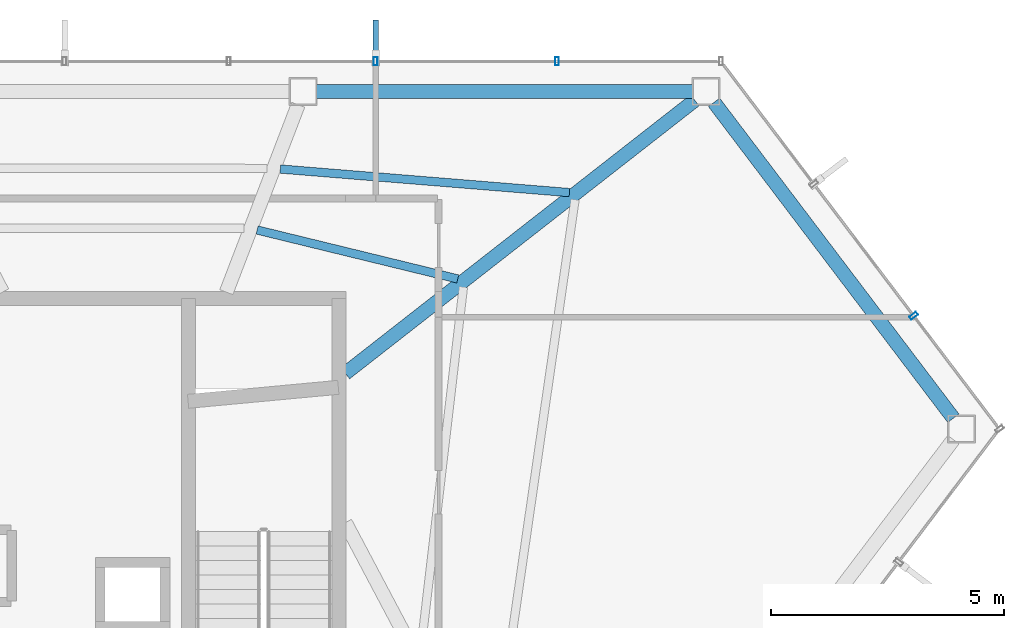
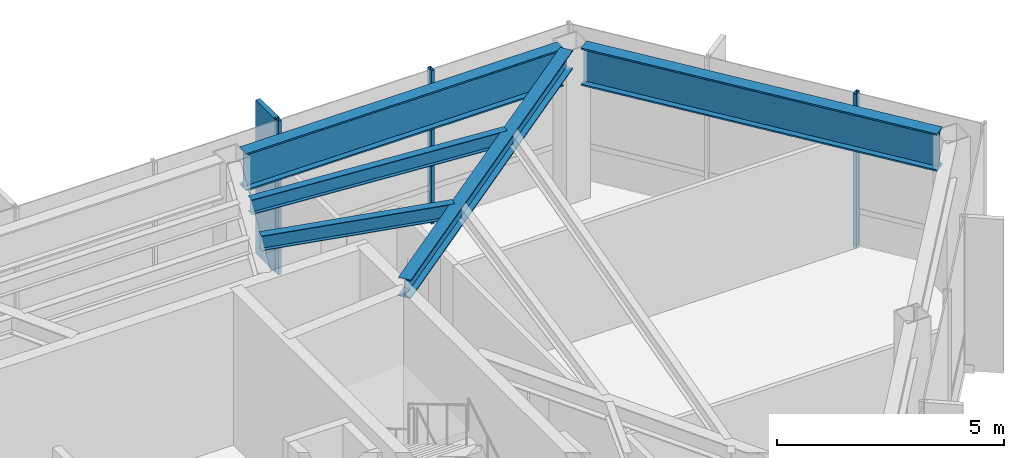
# One storey, part 16 of 23: 5 beams, 4 members, 2 elements without a shape of their own.
"""IFC4 building model written with IfcOpenShell, lengths in metres."""

import ifcopenshell
import ifcopenshell.guid

model = None  # the IFC model being written
_history = None  # IfcOwnerHistory: only IFC2X3 demands one
_inside = {}  # id of a spatial element -> (the spatial element, [elements in it])
_under = {}  # id of a project, library or spatial element -> (it, [spatial elements below it])
_declared = {}  # id of a project -> (the project, [libraries it declares])
_typed = {}  # id of a type object -> (the type object, [elements of that type])
_made_of = {}  # id of a material, layer set ... -> (it, [elements and type objects made of it])


def new_model(schema):
    """Start an empty IFC model of exactly this schema.

    Asked for "IFC4X3", IfcOpenShell would pick the latest addendum, in which some entities
    have other attributes; the version numbers below select the first issue.
    IFC2X3 requires an IfcOwnerHistory on every rooted entity: one is made here for all.
    """
    global model, _history
    if schema == "IFC4X3":
        model = ifcopenshell.file(schema_version=(4, 3, 0, 0))
    else:
        model = ifcopenshell.file(schema=schema)
    _inside.clear()
    _under.clear()
    _declared.clear()
    _typed.clear()
    _made_of.clear()
    _history = None
    if model.schema == "IFC2X3":
        org = make("IfcOrganization", Name="unknown")
        user = make(
            "IfcPersonAndOrganization",
            ThePerson=make("IfcPerson", FamilyName="unknown"),
            TheOrganization=org,
        )
        app = make(
            "IfcApplication",
            ApplicationDeveloper=org,
            Version="unknown",
            ApplicationFullName="unknown",
            ApplicationIdentifier="unknown",
        )
        _history = make(
            "IfcOwnerHistory",
            OwningUser=user,
            OwningApplication=app,
            ChangeAction="ADDED",
            CreationDate=0,
        )
    return model


def make(cls, **values):
    """One entity of the class cls with the attributes given. An attribute that is None is left unset."""
    return model.create_entity(
        cls, **{name: value for name, value in values.items() if value is not None}
    )


def rooted(cls, **values):
    """An entity with a GlobalId (a new one), such as an element, a storey or a relation."""
    return make(cls, GlobalId=ifcopenshell.guid.new(), OwnerHistory=_history, **values)


def si_unit(unit_type, name, prefix=None):
    """IfcSIUnit, for example si_unit("LENGTHUNIT", "METRE", prefix="MILLI")."""
    return make("IfcSIUnit", UnitType=unit_type, Prefix=prefix, Name=name)


def assignment(units):
    """IfcUnitAssignment: the units of a project."""
    return None if units is None else make("IfcUnitAssignment", Units=units)


def point(xyz):
    """IfcCartesianPoint."""
    return None if xyz is None else make("IfcCartesianPoint", Coordinates=xyz)


def direction(xyz):
    """IfcDirection."""
    return None if xyz is None else make("IfcDirection", DirectionRatios=xyz)


def frame(location, z_axis=None, x_axis=None):
    """IfcAxis2Placement3D, a coordinate frame: its origin and axes. An axis left out is left unset."""
    return make(
        "IfcAxis2Placement3D",
        Location=point(location),
        Axis=direction(z_axis),
        RefDirection=direction(x_axis),
    )


def frame_2d(location, x_axis=None):
    """IfcAxis2Placement2D, a coordinate frame in the plane: its origin and x axis."""
    return make(
        "IfcAxis2Placement2D", Location=point(location), RefDirection=direction(x_axis)
    )


def origin():
    """The frame at (0, 0, 0) with its axes left unset."""
    return frame((0.0, 0.0, 0.0))


def origin_2d():
    """The frame at (0, 0) in the plane with its x axis left unset."""
    return frame_2d((0.0, 0.0))


def place(relative_to, where):
    """IfcLocalPlacement: puts the frame where relative to a parent placement (None: the world)."""
    return make(
        "IfcLocalPlacement", PlacementRelTo=relative_to, RelativePlacement=where
    )


def context(
    kind, dimensions, precision=None, world=None, true_north=None, identifier=None
):
    """IfcGeometricRepresentationContext, for example the 3D "Model" context."""
    return make(
        "IfcGeometricRepresentationContext",
        ContextIdentifier=identifier,
        ContextType=kind,
        CoordinateSpaceDimension=dimensions,
        Precision=precision,
        WorldCoordinateSystem=world,
        TrueNorth=true_north,
    )


def subcontext(parent, identifier, kind, view, scale=None):
    """IfcGeometricRepresentationSubContext, for example "Body" below "Model"."""
    return make(
        "IfcGeometricRepresentationSubContext",
        ContextIdentifier=identifier,
        ContextType=kind,
        ParentContext=parent,
        TargetScale=scale,
        TargetView=view,
    )


def project(units=None, contexts=None):
    """IfcProject with its units and contexts."""
    return rooted(
        "IfcProject",
        Name="project",
        RepresentationContexts=contexts,
        UnitsInContext=assignment(units),
    )


def spatial(cls, under=None, at=None, **own):
    """A site, building, storey or space (cls), placed at a placement, below another one or the project."""
    s = rooted(cls, ObjectPlacement=at, **own)
    if under is not None:
        _under.setdefault(under.id(), (under, []))[1].append(s)
    return s


def profile(cls, at=None, kind="AREA", **sizes):
    """A parametric profile (cls). Its sizes go by their IFC names, for example OverallWidth=200.0."""
    return make(cls, ProfileType=kind, Position=at, **sizes)


def rectangle(**sizes):
    """IfcRectangleProfileDef."""
    return profile("IfcRectangleProfileDef", **sizes)


def hollow_rectangle(**sizes):
    """IfcRectangleHollowProfileDef."""
    return profile("IfcRectangleHollowProfileDef", **sizes)


def i_section(**sizes):
    """IfcIShapeProfileDef."""
    return profile("IfcIShapeProfileDef", **sizes)


def extrude(swept, where, along, depth):
    """IfcExtrudedAreaSolid: the profile swept, set in the frame where, extruded along a direction by depth."""
    return make(
        "IfcExtrudedAreaSolid",
        SweptArea=swept,
        Position=where,
        ExtrudedDirection=direction(along),
        Depth=depth,
    )


def shape(context_of_items, identifier, shape_type, items):
    """IfcShapeRepresentation: the items that make up one representation, for example the "Body"."""
    return make(
        "IfcShapeRepresentation",
        ContextOfItems=context_of_items,
        RepresentationIdentifier=identifier,
        RepresentationType=shape_type,
        Items=items,
    )


def material(Name=None, Category=None):
    """IfcMaterial."""
    return make("IfcMaterial", Name=Name, Category=Category)


def layer(
    of_material, thickness, ventilated=None, Name=None, Category=None, Priority=None
):
    """IfcMaterialLayer: one layer of a wall or slab, of a material (None: an air gap)."""
    return make(
        "IfcMaterialLayer",
        Material=of_material,
        LayerThickness=thickness,
        IsVentilated=ventilated,
        Name=Name,
        Category=Category,
        Priority=Priority,
    )


def layer_set(layers, Name=None):
    """IfcMaterialLayerSet."""
    return make("IfcMaterialLayerSet", MaterialLayers=layers, LayerSetName=Name)


def material_profile(
    of_material, cross_section, Name=None, Category=None, Priority=None
):
    """IfcMaterialProfile: a cross section and its material."""
    return make(
        "IfcMaterialProfile",
        Name=Name,
        Material=of_material,
        Profile=cross_section,
        Priority=Priority,
        Category=Category,
    )


def profile_set(profiles, Name=None, composite=None):
    """IfcMaterialProfileSet."""
    return make(
        "IfcMaterialProfileSet",
        Name=Name,
        MaterialProfiles=profiles,
        CompositeProfile=composite,
    )


def made_of(thing, what):
    """Note that an element or type object is made of a material, layer set ...; save() writes the relation."""
    if what is not None:
        _made_of.setdefault(what.id(), (what, []))[1].append(thing)
    return thing


def type_object(cls, material=None, **own):
    """A type object (cls), such as IfcWallType, which elements share."""
    return made_of(rooted(cls, **own), material)


def element(
    cls,
    number,
    at=None,
    inside=None,
    cuts=None,
    type_object=None,
    material=None,
    context=None,
    identifier="Body",
    shape_type=None,
    held_by="IfcProductDefinitionShape",
    body=None,
    shapes=None,
    **own,
):
    """One element of the class cls, such as IfcWall. Its Tag is "e" and its number.

    at: its placement. inside: the storey or other place that contains it. cuts: it is an
    opening in that element (IfcRelVoidsElement). A single representation is given by context,
    identifier, shape_type and body (its items); several are given by shapes. held_by: the class
    of the entity that holds the representations. save() writes the other relations.
    """
    e = rooted(cls, Tag="e%d" % number, ObjectPlacement=at, **own)
    if body is not None:
        shapes = [shape(context, identifier, shape_type, body)]
    if shapes is not None:
        e.Representation = make(held_by, Representations=shapes)
    if inside is not None:
        _inside.setdefault(inside.id(), (inside, []))[1].append(e)
    if cuts is not None:
        rooted(
            "IfcRelVoidsElement", RelatingBuildingElement=cuts, RelatedOpeningElement=e
        )
    if type_object is not None:
        _typed.setdefault(type_object.id(), (type_object, []))[1].append(e)
    return made_of(e, material)


def aggregate(whole, parts):
    """IfcRelAggregates: a whole, such as a stair, and the parts it consists of."""
    return rooted("IfcRelAggregates", RelatingObject=whole, RelatedObjects=parts)


def save(model, path):
    """Write the relations noted so far, then the file.

    IfcRelAggregates (storeys below a building ...), IfcRelContainedInSpatialStructure (elements
    in a storey), IfcRelDefinesByType, IfcRelAssociatesMaterial and IfcRelDeclares: one each for
    every whole, place, type object, material and project.
    """
    for whole, parts in _under.values():
        aggregate(whole, parts)
    for where, things in _inside.values():
        rooted(
            "IfcRelContainedInSpatialStructure",
            RelatedElements=things,
            RelatingStructure=where,
        )
    for kind, things in _typed.values():
        rooted("IfcRelDefinesByType", RelatedObjects=things, RelatingType=kind)
    for what, things in _made_of.values():
        rooted("IfcRelAssociatesMaterial", RelatedObjects=things, RelatingMaterial=what)
    for by, libraries in _declared.values():
        rooted("IfcRelDeclares", RelatingContext=by, RelatedDefinitions=libraries)
    model.write(path)


model = new_model("IFC4")

# Units and contexts
model_context = context("Model", 3, precision=1e-05, world=origin(), true_north=direction((0.0, 1.0)))
body_context = subcontext(model_context, "Body", "Model", "MODEL_VIEW")
ifc_project = project(units=[si_unit("LENGTHUNIT", "METRE"), si_unit("AREAUNIT", "SQUARE_METRE"), si_unit("VOLUMEUNIT", "CUBIC_METRE"), si_unit("PLANEANGLEUNIT", "RADIAN"), si_unit("MASSUNIT", "GRAM", prefix="KILO")], contexts=[model_context])

# Site, building, storey
site_placement = place(None, origin())
site = spatial("IfcSite", under=ifc_project, at=site_placement, CompositionType="ELEMENT")
building_placement = place(site_placement, origin())
building = spatial("IfcBuilding", under=site, at=building_placement, Name="Zarrinselat Tower", CompositionType="ELEMENT")
storey_placement = place(building_placement, frame((0.0, 0.0, 199.919921875)))
storey = spatial("IfcBuildingStorey", under=building, at=storey_placement, Name="L49", CompositionType="ELEMENT", Elevation=199.919921875)

# Beams
ifc_material_1 = material(Name="Steel S355J2", Category="steel")
ifc_material_profile_1 = material_profile(ifc_material_1, i_section(OverallWidth=0.300048828125, OverallDepth=0.5, WebThickness=0.014404296875, FlangeThickness=0.028076171875, at=origin_2d()), Name="HEB 500")
ifc_profile_set_1 = profile_set([ifc_material_profile_1], Name="Steel S355J2")
beam_type_1 = type_object("IfcBeamType", Name="BM-HEB500", PredefinedType="BEAM", material=ifc_profile_set_1)
beam_1_placement = place(storey_placement, frame((48.35009765625, 41.800048828125, 3.8701171875), z_axis=(0.78800763202, 0.615665470753, 0.0), x_axis=(-0.615665470753, 0.78800763202, 0.0)))
element("IfcBeam", 1, at=beam_1_placement, inside=storey, type_object=beam_type_1, Name="L49 Radial Primary Girder RG01", PredefinedType="BEAM", context=body_context, shape_type="SweptSolid", body=[
    extrude(i_section(OverallWidth=0.300048828125, OverallDepth=0.5, WebThickness=0.014404296875, FlangeThickness=0.028076171875, at=origin_2d()), origin(), (0.0, 0.0, 1.0), 9.5068359375),
])
ifc_material_2 = material(Name="Steel S460M", Category="steel")
ifc_material_profile_2 = material_profile(ifc_material_2, i_section(OverallWidth=0.302001953125, OverallDepth=1.008056640625, WebThickness=0.02099609375, FlangeThickness=0.0400390625, at=origin_2d()), Name="HEM 1000")
ifc_profile_set_2 = profile_set([ifc_material_profile_2], Name="Steel S460M")
beam_type_2 = type_object("IfcBeamType", Name="BM-HEM1000", PredefinedType="BEAM", material=ifc_profile_set_2)
beam_2_placement = place(storey_placement, frame((47.73583984375, 47.839111328125, 3.615966796875), z_axis=(1.0, 0.0, 0.0), x_axis=(0.0, 1.0, 0.0)))
element("IfcBeam", 2, at=beam_2_placement, inside=storey, type_object=beam_type_2, Name="L49 Perimeter Spandrel Girder SP01", PredefinedType="BEAM", context=body_context, shape_type="SweptSolid", body=[
    extrude(i_section(OverallWidth=0.302001953125, OverallDepth=1.008056640625, WebThickness=0.02099609375, FlangeThickness=0.0400390625, at=origin_2d()), origin(), (0.0, 0.0, 1.0), 8.0556640625),
])
beam_3_placement = place(storey_placement, frame((56.25341796875, 47.609375, 3.615966796875), z_axis=(0.603854921838, -0.79709424372, 0.0), x_axis=(0.79709424372, 0.603854921838, 0.0)))
element("IfcBeam", 3, at=beam_3_placement, inside=storey, type_object=beam_type_2, Name="L49 Perimeter Spandrel Girder SP15", PredefinedType="BEAM", context=body_context, shape_type="SweptSolid", body=[
    extrude(i_section(OverallWidth=0.302001953125, OverallDepth=1.008056640625, WebThickness=0.02099609375, FlangeThickness=0.0400390625, at=origin_2d()), origin(), (0.0, 0.0, 1.0), 8.496337890625),
])
ifc_material_3 = material(Name="Steel S355J2", Category="steel")
ifc_material_profile_3 = material_profile(ifc_material_3, i_section(OverallWidth=0.179931640625, OverallDepth=0.39990234375, WebThickness=0.008544921875, FlangeThickness=0.013427734375, at=origin_2d()), Name="IPE 400")
ifc_profile_set_3 = profile_set([ifc_material_profile_3], Name="Steel S355J2")
beam_type_3 = type_object("IfcBeamType", Name="BM-IPE400", PredefinedType="JOIST", material=ifc_profile_set_3)
beam_4_placement = place(storey_placement, frame((46.955810546875, 46.1796875, 3.920166015625), z_axis=(0.99669331514, -0.081255372468, 0.0), x_axis=(0.081255372468, 0.99669331514, 0.0)))
element("IfcBeam", 4, at=beam_4_placement, inside=storey, type_object=beam_type_3, Name="L49 Composite Floor Joist 6-1", PredefinedType="JOIST", context=body_context, shape_type="SweptSolid", body=[
    extrude(i_section(OverallWidth=0.179931640625, OverallDepth=0.39990234375, WebThickness=0.008544921875, FlangeThickness=0.013427734375, at=origin_2d()), origin(), (0.0, 0.0, 1.0), 6.219482421875),
])
beam_5_placement = place(storey_placement, frame((46.45947265625, 44.87255859375, 3.920166015625), z_axis=(0.971511669295, -0.236991722267, 0.0), x_axis=(0.236991722267, 0.971511669295, 0.0)))
element("IfcBeam", 5, at=beam_5_placement, inside=storey, type_object=beam_type_3, Name="L49 Composite Floor Joist 6-2", PredefinedType="JOIST", context=body_context, shape_type="SweptSolid", body=[
    extrude(i_section(OverallWidth=0.179931640625, OverallDepth=0.39990234375, WebThickness=0.008544921875, FlangeThickness=0.013427734375, at=origin_2d()), origin(), (0.0, 0.0, 1.0), 4.427734375),
])

# Curtain wall, members
ifc_material_4 = material(Name="Extruded Aluminium Alloy EN AW-6063 T6", Category="aluminium")
ifc_layer = layer(ifc_material_4, 0.195068359375)
ifc_layer_set = layer_set([ifc_layer], Name="Extruded Aluminium Alloy EN AW-6063 T6")
curtain_wall_type = type_object("IfcCurtainWallType", Name="CWS-GDN", PredefinedType="NOTDEFINED", material=ifc_layer_set)
curtain_wall_1_placement = place(storey_placement, origin())
curtain_wall_1 = element("IfcCurtainWall", 6, at=curtain_wall_1_placement, inside=storey, type_object=curtain_wall_type, Name="L49 Unitised Curtain Wall CW-L49-E02", PredefinedType="NOTDEFINED")
ifc_material_5 = material(Name="Extruded Aluminium Alloy EN AW-6063 T6", Category="aluminium")
ifc_material_profile_4 = material_profile(ifc_material_5, hollow_rectangle(XDim=0.080078125, YDim=0.179931640625, WallThickness=0.0048828125, at=origin_2d()), Name="RHS 180x80x5")
ifc_profile_set_4 = profile_set([ifc_material_profile_4], Name="Extruded Aluminium Alloy EN AW-6063 T6")
member_type_1 = type_object("IfcMemberType", Name="MEM-CW-MUL", PredefinedType="MULLION", material=ifc_profile_set_4)
member_1_placement = place(storey_placement, frame((49.0, 48.489013671875, 0.0), z_axis=(0.0, 0.0, 1.0), x_axis=(1.0, 0.0, 0.0)))
member_1 = element("IfcMember", 7, at=member_1_placement, type_object=member_type_1, Name="CW-L49-E02 Mullion 9", PredefinedType="MULLION", context=body_context, shape_type="SweptSolid", body=[
    extrude(hollow_rectangle(XDim=0.080078125, YDim=0.179931640625, WallThickness=0.0048828125, at=origin_2d()), origin(), (0.0, 0.0, 1.0), 4.1201171875),
])
member_2_placement = place(storey_placement, frame((52.88525390625, 48.489013671875, 0.0), z_axis=(0.0, 0.0, 1.0), x_axis=(1.0, 0.0, 0.0)))
member_2 = element("IfcMember", 8, at=member_2_placement, type_object=member_type_1, Name="CW-L49-E02 Mullion 10", PredefinedType="MULLION", context=body_context, shape_type="SweptSolid", body=[
    extrude(hollow_rectangle(XDim=0.080078125, YDim=0.179931640625, WallThickness=0.0048828125, at=origin_2d()), origin(), (0.0, 0.0, 1.0), 4.1201171875),
])

# Curtain wall, member
curtain_wall_2_placement = place(storey_placement, origin())
curtain_wall_2 = element("IfcCurtainWall", 9, at=curtain_wall_2_placement, inside=storey, type_object=curtain_wall_type, Name="L49 Unitised Curtain Wall CW-L49-E03", PredefinedType="NOTDEFINED")
member_3_placement = place(storey_placement, frame((60.533447265625, 43.0361328125, 0.0), z_axis=(0.0, 0.0, 1.0), x_axis=(0.603852236026, -0.797096278405, 0.0)))
member_3 = element("IfcMember", 10, at=member_3_placement, type_object=member_type_1, Name="CW-L49-E03 Mullion 2", PredefinedType="MULLION", context=body_context, shape_type="SweptSolid", body=[
    extrude(hollow_rectangle(XDim=0.080078125, YDim=0.179931640625, WallThickness=0.0048828125, at=origin_2d()), origin(), (0.0, 0.0, 1.0), 4.1201171875),
])
aggregate(curtain_wall_2, [member_3])

# Member
ifc_material_6 = material(Name="Honed Cream Travertine Stone", Category="masonry")
ifc_material_profile_5 = material_profile(ifc_material_6, rectangle(XDim=0.1201171875, YDim=0.85009765625, at=origin_2d()), Name="FIN 850x120")
ifc_profile_set_5 = profile_set([ifc_material_profile_5], Name="Honed Cream Travertine Stone")
member_type_2 = type_object("IfcMemberType", Name="MEM-STONE-FIN", PredefinedType="USERDEFINED", material=ifc_profile_set_5)
member_4_placement = place(storey_placement, frame((49.0, 48.948974609375, 0.0), z_axis=(0.0, 0.0, 1.0), x_axis=(1.0, 0.0, 0.0)))
member_4 = element("IfcMember", 11, at=member_4_placement, type_object=member_type_2, Name="L49 Stone Shading Fin CW-L49-E02-09", ObjectType="FIN", PredefinedType="USERDEFINED", context=body_context, shape_type="SweptSolid", body=[
    extrude(rectangle(XDim=0.1201171875, YDim=0.85009765625, at=origin_2d()), origin(), (0.0, 0.0, 1.0), 4.1201171875),
])

aggregate(curtain_wall_1, [member_1, member_4, member_2])

save(model, "model.ifc")
